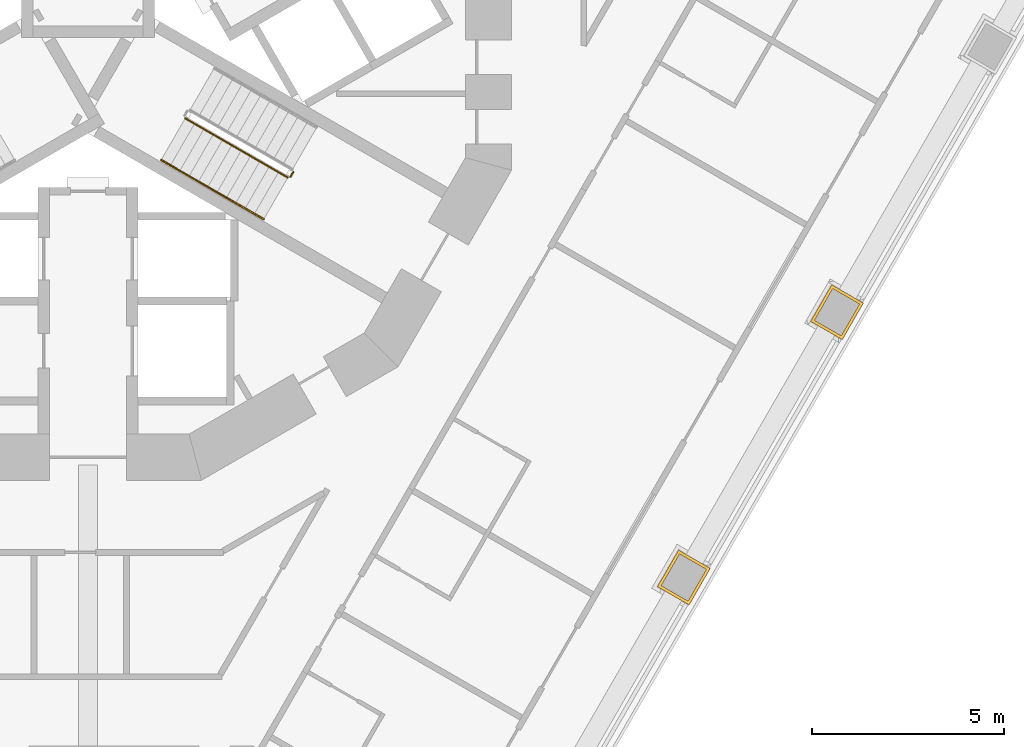
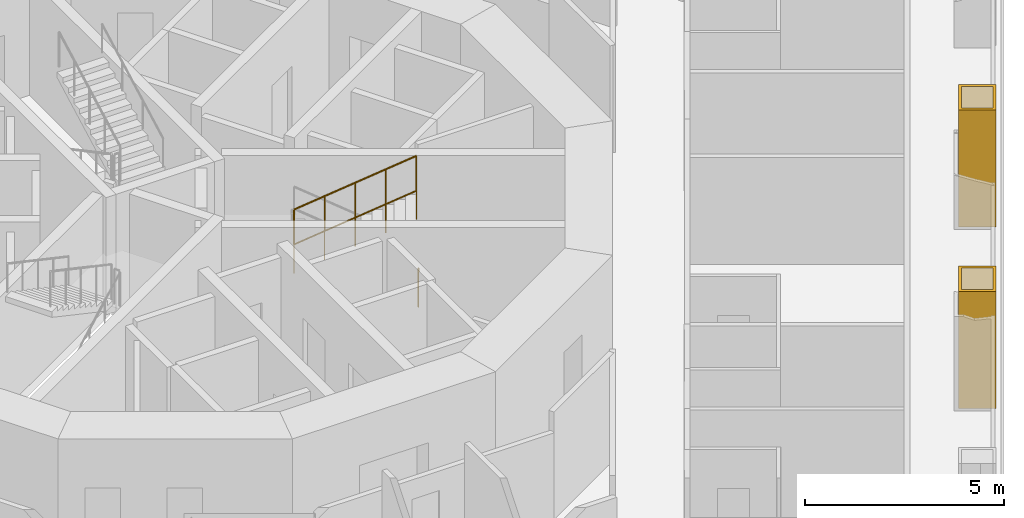
# One storey, part 15 of 20: 4 railings, 2 coverings.
"""IFC4 building model written with IfcOpenShell, lengths in metres."""

from ifc_helpers import new_model, si_unit, direction, frame, origin, origin_2d, place, context, subcontext, project, spatial, polyline, circle, outline, extrude, material, layer, layer_set, type_object, element, save


model = new_model("IFC4")

# Units and contexts
model_context = context("Model", 3, precision=1e-05, world=origin(), true_north=direction((0.0, 1.0)))
body_context = subcontext(model_context, "Body", "Model", "MODEL_VIEW")
ifc_project = project(units=[si_unit("LENGTHUNIT", "METRE"), si_unit("AREAUNIT", "SQUARE_METRE"), si_unit("VOLUMEUNIT", "CUBIC_METRE"), si_unit("PLANEANGLEUNIT", "RADIAN"), si_unit("MASSUNIT", "GRAM", prefix="KILO")], contexts=[model_context])

# Site, building, storey
site_placement = place(None, origin())
site = spatial("IfcSite", under=ifc_project, at=site_placement, CompositionType="ELEMENT")
building_placement = place(site_placement, origin())
building = spatial("IfcBuilding", under=site, at=building_placement, Name="Trine Commons Tower", CompositionType="ELEMENT")
storey_placement = place(building_placement, frame((0.0, 0.0, 38.699951171875)))
storey = spatial("IfcBuildingStorey", under=building, at=storey_placement, Name="L08", CompositionType="ELEMENT", Elevation=38.699951171875)

# Coverings
ifc_material_1 = material(Name="Limestone, honed", Category="masonry")
ifc_layer = layer(ifc_material_1, 0.074951171875)
ifc_layer_set = layer_set([ifc_layer], Name="Limestone, honed")
covering_type = type_object("IfcCoveringType", Name="Limestone column cladding 75", PredefinedType="CLADDING", material=ifc_layer_set)
covering_1_placement = place(storey_placement, origin())
element("IfcCovering", 1, at=covering_1_placement, inside=storey, type_object=covering_type, Name="Limestone pier cladding 1-20", PredefinedType="CLADDING", context=body_context, shape_type="SweptSolid", body=[
    extrude(outline(polyline([(100.15771484375, 56.0947265625), (99.334716796875, 56.569580078125), (98.784912109375, 55.6171875), (99.607666015625, 55.14208984375), (100.15771484375, 56.0947265625)]), holes=[polyline([(100.05517578125, 56.0673828125), (99.3623046875, 56.46728515625), (98.88720703125, 55.64453125), (99.580078125, 55.244384765625), (100.05517578125, 56.0673828125)])]), origin(), (0.0, 0.0, 1.0), 3.60009765625),
])
covering_2_placement = place(storey_placement, origin())
element("IfcCovering", 2, at=covering_2_placement, inside=storey, type_object=covering_type, Name="Limestone pier cladding 1-21", PredefinedType="CLADDING", context=body_context, shape_type="SweptSolid", body=[
    extrude(outline(polyline([(96.17578125, 49.1982421875), (95.35302734375, 49.67333984375), (94.802978515625, 48.720703125), (95.6259765625, 48.24560546875), (96.17578125, 49.1982421875)]), holes=[polyline([(96.073486328125, 49.1708984375), (95.380615234375, 49.57080078125), (94.905517578125, 48.748046875), (95.598388671875, 48.34814453125), (96.073486328125, 49.1708984375)])]), origin(), (0.0, 0.0, 1.0), 3.60009765625),
])

# Railings
ifc_material_2 = material(Name="Stainless steel balustrade", Category="steel")
railing_type_1 = type_object("IfcRailingType", Name="Stair guard, steel balustrade 1100", PredefinedType="GUARDRAIL", material=ifc_material_2)
railing_1_placement = place(storey_placement, frame((82.52734375, 60.896484375, 1.949951171875)))
element("IfcRailing", 3, at=railing_1_placement, inside=storey, type_object=railing_type_1, Name="L08 ST3A stair guard 3", PredefinedType="GUARDRAIL", context=body_context, shape_type="SweptSolid", body=[
    extrude(circle(Radius=0.02392578125, at=origin_2d()), frame((0.0, 0.0, 1.076171875), z_axis=(0.763379768245, -0.440728498818, 0.472239049384), x_axis=(0.499992328818, 0.866029832698, 0.0)), (0.0, 0.0, 1.0), 3.494384765625),
    extrude(circle(Radius=0.02099609375, at=origin_2d()), origin(), (0.0, 0.0, 1.0), 1.052001953125),
    extrude(circle(Radius=0.02099609375, at=origin_2d()), frame((0.6669921875, -0.385009765625, 0.41259765625)), (0.0, 0.0, 1.0), 1.052001953125),
    extrude(circle(Radius=0.02099609375, at=origin_2d()), frame((1.333740234375, -0.77001953125, 0.8251953125)), (0.0, 0.0, 1.0), 1.052001953125),
    extrude(circle(Radius=0.02099609375, at=origin_2d()), frame((2.00048828125, -1.155029296875, 1.237548828125)), (0.0, 0.0, 1.0), 1.052001953125),
    extrude(circle(Radius=0.02099609375, at=origin_2d()), frame((2.66748046875, -1.5400390625, 1.650146484375)), (0.0, 0.0, 1.0), 1.052001953125),
])
railing_2_placement = place(storey_placement, frame((85.338134765625, 59.504638671875, 0.0)))
element("IfcRailing", 4, at=railing_2_placement, inside=storey, type_object=railing_type_1, Name="L08 ST3A stair guard 4", PredefinedType="GUARDRAIL", context=body_context, shape_type="SweptSolid", body=[
    extrude(circle(Radius=0.02392578125, at=origin_2d()), frame((0.0, 0.0, 1.076171875), z_axis=(-0.499816412211, -0.866131372301, 0.0), x_axis=(0.866131372301, -0.499816412211, 0.0)), (0.0, 0.0, 1.0), 0.14990234375),
    extrude(circle(Radius=0.02099609375, at=origin_2d()), origin(), (0.0, 0.0, 1.0), 1.052001953125),
    extrude(circle(Radius=0.02099609375, at=origin_2d()), frame((-0.074951171875, -0.1298828125, 0.0)), (0.0, 0.0, 1.0), 1.052001953125),
])
ifc_material_3 = material(Name="Stainless steel handrail", Category="steel")
railing_type_2 = type_object("IfcRailingType", Name="Stair handrail, steel 900", PredefinedType="HANDRAIL", material=ifc_material_3)
railing_3_placement = place(storey_placement, frame((81.90234375, 59.81396484375, 1.949951171875)))
element("IfcRailing", 5, at=railing_3_placement, inside=storey, type_object=railing_type_2, Name="L08 ST3A stair handrail 3", PredefinedType="HANDRAIL", context=body_context, shape_type="SweptSolid", body=[
    extrude(circle(Radius=0.02099609375, at=origin_2d()), frame((0.0, 0.0, 0.87890625), z_axis=(0.763354580307, -0.440713956853, 0.472293333596), x_axis=(0.499992328818, 0.866029832698, 0.0)), (0.0, 0.0, 1.0), 1.747314453125),
    extrude(circle(Radius=0.01513671875, at=origin_2d()), origin(), (0.0, 0.0, 1.0), 0.85791015625),
    extrude(circle(Radius=0.01513671875, at=origin_2d()), frame((0.6669921875, -0.385009765625, 0.41259765625)), (0.0, 0.0, 1.0), 0.85791015625),
    extrude(circle(Radius=0.01513671875, at=origin_2d()), frame((1.333740234375, -0.77001953125, 0.8251953125)), (0.0, 0.0, 1.0), 0.85791015625),
])
railing_4_placement = place(storey_placement, frame((83.236083984375, 59.0439453125, 2.775146484375)))
element("IfcRailing", 6, at=railing_4_placement, inside=storey, type_object=railing_type_2, Name="L08 ST3A stair handrail 4", PredefinedType="HANDRAIL", context=body_context, shape_type="SweptSolid", body=[
    extrude(circle(Radius=0.02099609375, at=origin_2d()), frame((0.0, 0.0, 0.87890625), z_axis=(0.76340495495, -0.440743040072, 0.472184759798), x_axis=(0.499992328818, 0.866029832698, 0.0)), (0.0, 0.0, 1.0), 1.7470703125),
    extrude(circle(Radius=0.01513671875, at=origin_2d()), origin(), (0.0, 0.0, 1.0), 0.85791015625),
    extrude(circle(Radius=0.01513671875, at=origin_2d()), frame((0.6669921875, -0.385009765625, 0.41259765625)), (0.0, 0.0, 1.0), 0.85791015625),
    extrude(circle(Radius=0.01513671875, at=origin_2d()), frame((1.333740234375, -0.77001953125, 0.824951171875)), (0.0, 0.0, 1.0), 0.85791015625),
])

save(model, "model.ifc")
